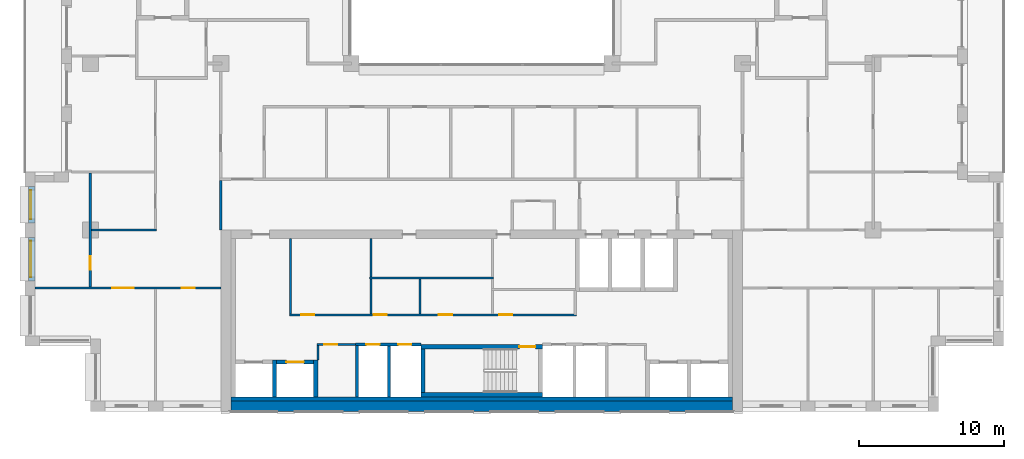
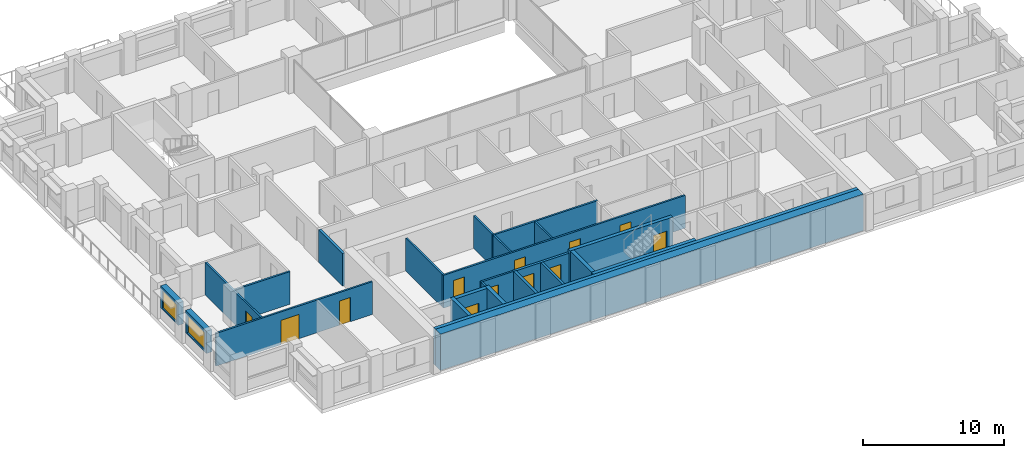
# One storey, part 8 of 15: 25 walls, 12 doors, 2 windows, 14 openings.
"""IFC4 building model written with IfcOpenShell, lengths in metres."""

from ifc_helpers import new_model, si_unit, direction, frame, frame_2d, origin, place, context, subcontext, project, spatial, rectangle, extrude, material, layer, layer_set, type_object, element, fill, save


model = new_model("IFC4")

# Units and contexts
model_context = context("Model", 3, precision=1e-05, world=origin(), true_north=direction((0.0, 1.0)))
body_context = subcontext(model_context, "Body", "Model", "MODEL_VIEW")
ifc_project = project(units=[si_unit("LENGTHUNIT", "METRE"), si_unit("AREAUNIT", "SQUARE_METRE"), si_unit("VOLUMEUNIT", "CUBIC_METRE"), si_unit("PLANEANGLEUNIT", "RADIAN"), si_unit("MASSUNIT", "GRAM", prefix="KILO")], contexts=[model_context])

# Site, building, storey
site_placement = place(None, origin())
site = spatial("IfcSite", under=ifc_project, at=site_placement, CompositionType="ELEMENT")
building_placement = place(site_placement, origin())
building = spatial("IfcBuilding", under=site, at=building_placement, Name="Brigalow Station Residences", CompositionType="ELEMENT")
storey_placement = place(building_placement, frame((0.0, 0.0, 172.800048828125)))
storey = spatial("IfcBuildingStorey", under=building, at=storey_placement, Name="L50", CompositionType="ELEMENT", Elevation=172.800048828125)

# Wall, opening, window
ifc_material_1 = material(Name="Clay brick masonry", Category="masonry")
ifc_layer_1 = layer(ifc_material_1, 0.449951171875)
ifc_layer_set_1 = layer_set([ifc_layer_1], Name="BRICK INFILL WALL 450")
wall_type_1 = type_object("IfcWallType", Name="BRICK INFILL WALL 450", PredefinedType="SOLIDWALL", material=ifc_layer_set_1)
wall_1_placement = place(storey_placement, frame((4.97509765625, 15.5, 0.89990234375), z_axis=(0.0, 0.0, 1.0), x_axis=(0.0, -1.0, 0.0)))
wall_1 = element("IfcWall", 1, at=wall_1_placement, inside=storey, type_object=wall_type_1, Name="L50/ewall/W-L50-45", PredefinedType="SOLIDWALL", context=body_context, shape_type="SweptSolid", body=[
    extrude(rectangle(XDim=2.5, YDim=0.449951171875, at=frame_2d((1.25, 0.0))), origin(), (0.0, 0.0, 1.0), 1.929931640625),
])
opening_1_placement = place(wall_1_placement, frame((0.25, 0.0, 0.14990234375)))
opening_1 = element("IfcOpeningElement", 2, at=opening_1_placement, cuts=wall_1, Name="Opening WT-7", PredefinedType="OPENING", context=body_context, shape_type="SweptSolid", body=[
    extrude(rectangle(XDim=2.0, YDim=1.5, at=frame_2d((1.0, 0.75))), frame((0.0, 0.23486328125, 0.0), z_axis=(0.0, -1.0, 0.0), x_axis=(1.0, 0.0, 0.0)), (0.0, 0.0, 1.0), 0.469970703125),
])
ifc_material_2 = material(Name="Anodised aluminium frame with double glazing", Category="aluminium")
window_type_1 = type_object("IfcWindowType", Name="WINDOW 2000x1500", PartitioningType="SINGLE_PANEL", PredefinedType="WINDOW", material=ifc_material_2)
window_1_placement = place(opening_1_placement, origin())
window_1 = element("IfcWindow", 3, at=window_1_placement, inside=storey, type_object=window_type_1, Name="L50/window/W-L50-45", OverallHeight=1.5, OverallWidth=2.0, PartitioningType="SINGLE_PANEL", PredefinedType="WINDOW", context=body_context, shape_type="SweptSolid", body=[
    extrude(rectangle(XDim=2.0, YDim=1.5, at=frame_2d((1.0, 0.75))), frame((0.0, -0.06494140625, 0.0), z_axis=(0.0, -1.0, 0.0), x_axis=(1.0, 0.0, 0.0)), (0.0, 0.0, 1.0), 0.06005859375),
])
fill(opening_1, window_1)

wall_2_placement = place(storey_placement, frame((4.97509765625, 12.0, 0.89990234375), z_axis=(0.0, 0.0, 1.0), x_axis=(0.0, -1.0, 0.0)))
wall_2 = element("IfcWall", 4, at=wall_2_placement, inside=storey, type_object=wall_type_1, Name="L50/ewall/W-L50-46", PredefinedType="SOLIDWALL", context=body_context, shape_type="SweptSolid", body=[
    extrude(rectangle(XDim=3.0, YDim=0.449951171875, at=frame_2d((1.5, 0.0))), origin(), (0.0, 0.0, 1.0), 1.929931640625),
])
opening_2_placement = place(wall_2_placement, frame((0.25, 0.0, 0.14990234375)))
opening_2 = element("IfcOpeningElement", 5, at=opening_2_placement, cuts=wall_2, Name="Opening WT-5", PredefinedType="OPENING", context=body_context, shape_type="SweptSolid", body=[
    extrude(rectangle(XDim=2.5, YDim=1.5, at=frame_2d((1.25, 0.75))), frame((0.0, 0.23486328125, 0.0), z_axis=(0.0, -1.0, 0.0), x_axis=(1.0, 0.0, 0.0)), (0.0, 0.0, 1.0), 0.469970703125),
])
ifc_material_3 = material(Name="Anodised aluminium frame with double glazing", Category="aluminium")
window_type_2 = type_object("IfcWindowType", Name="WINDOW 2500x1500", PartitioningType="SINGLE_PANEL", PredefinedType="WINDOW", material=ifc_material_3)
window_2_placement = place(opening_2_placement, origin())
window_2 = element("IfcWindow", 6, at=window_2_placement, inside=storey, type_object=window_type_2, Name="L50/window/W-L50-46", OverallHeight=1.5, OverallWidth=2.5, PartitioningType="SINGLE_PANEL", PredefinedType="WINDOW", context=body_context, shape_type="SweptSolid", body=[
    extrude(rectangle(XDim=2.5, YDim=1.5, at=frame_2d((1.25, 0.75))), frame((0.0, -0.06494140625, 0.0), z_axis=(0.0, -1.0, 0.0), x_axis=(1.0, 0.0, 0.0)), (0.0, 0.0, 1.0), 0.06005859375),
])
fill(opening_2, window_2)

# Wall
ifc_material_4 = material(Name="Concrete C65", Category="concrete")
ifc_layer_2 = layer(ifc_material_4, 0.300048828125)
ifc_layer_set_2 = layer_set([ifc_layer_2], Name="CORE SHEAR WALL 300 C65")
wall_type_2 = type_object("IfcWallType", Name="CORE SHEAR WALL 300 C65", PredefinedType="SHEAR", material=ifc_layer_set_2)
wall_3_placement = place(storey_placement, frame((18.699951171875, 0.85009765625, 0.0), z_axis=(0.0, 0.0, 1.0), x_axis=(1.0, 0.0, 0.0)))
element("IfcWall", 7, at=wall_3_placement, inside=storey, type_object=wall_type_2, Name="CORE WALL LIN-S L50", PredefinedType="SHEAR", context=body_context, shape_type="SweptSolid", body=[
    extrude(rectangle(XDim=34.60009765625, YDim=0.300048828125, at=frame_2d((17.300048828125, 0.0))), origin(), (0.0, 0.0, 1.0), 3.14990234375),
])

# Wall, opening, door
wall_4_placement = place(storey_placement, frame((21.85009765625, 3.39990234375, 0.0), z_axis=(0.0, 0.0, 1.0), x_axis=(1.0, 0.0, 0.0)))
wall_4 = element("IfcWall", 8, at=wall_4_placement, inside=storey, type_object=wall_type_2, Name="CORE WALL SH-C2-N L50", PredefinedType="SHEAR", context=body_context, shape_type="SweptSolid", body=[
    extrude(rectangle(XDim=2.5498046875, YDim=0.300048828125, at=frame_2d((1.27490234375, 0.0))), origin(), (0.0, 0.0, 1.0), 3.14990234375),
])
opening_3_placement = place(wall_4_placement, frame((0.675048828125, 0.0, 0.0)))
opening_3 = element("IfcOpeningElement", 9, at=opening_3_placement, cuts=wall_4, Name="Opening LD-LB2", PredefinedType="OPENING", context=body_context, shape_type="SweptSolid", body=[
    extrude(rectangle(XDim=1.199951171875, YDim=2.10009765625, at=frame_2d((0.60009765625, 1.050048828125))), frame((0.0, 0.16015625, 0.0), z_axis=(0.0, -1.0, 0.0), x_axis=(1.0, 0.0, 0.0)), (0.0, 0.0, 1.0), 0.320068359375),
])
ifc_material_5 = material(Name="Stainless steel sliding door leaves", Category="steel")
door_type_1 = type_object("IfcDoorType", Name="LIFT LANDING DOOR 1200 x 2100", OperationType="DOUBLE_DOOR_SLIDING", PredefinedType="DOOR", material=ifc_material_5)
door_1_placement = place(opening_3_placement, origin())
door_1 = element("IfcDoor", 10, at=door_1_placement, inside=storey, type_object=door_type_1, Name="LANDING DOOR LB2", OperationType="DOUBLE_DOOR_SLIDING", OverallHeight=2.10009765625, OverallWidth=1.199951171875, PredefinedType="DOOR", context=body_context, shape_type="SweptSolid", body=[
    extrude(rectangle(XDim=1.199951171875, YDim=2.10009765625, at=frame_2d((0.60009765625, 1.050048828125))), frame((0.0, 0.02490234375, 0.0), z_axis=(0.0, -1.0, 0.0), x_axis=(1.0, 0.0, 0.0)), (0.0, 0.0, 1.0), 0.050048828125),
])
fill(opening_3, door_1)

# Walls
for number, where, z_axis, x_axis, name in (
    (11, (21.699951171875, 1.0, 0.0), (0.0, 0.0, 1.0), (0.0, 1.0, 0.0), "CORE WALL SH-C2-W L50"),
    (12, (24.550048828125, 1.0, 0.0), (0.0, 0.0, 1.0), (0.0, 1.0, 0.0), "CORE WALL SH-C2-E L50"),
):
    element("IfcWall", number, at=place(storey_placement, frame(where, z_axis=z_axis, x_axis=x_axis)), inside=storey, type_object=wall_type_2, Name=name, PredefinedType="SHEAR", context=body_context, shape_type="SweptSolid", body=[
        extrude(rectangle(XDim=2.550048828125, YDim=0.300048828125, at=frame_2d((1.27490234375, 0.0))), origin(), (0.0, 0.0, 1.0), 3.14990234375),
    ])
wall_5_placement = place(storey_placement, frame((31.800048828125, 1.14990234375, 0.0), z_axis=(0.0, 0.0, 1.0), x_axis=(1.0, 0.0, 0.0)))
element("IfcWall", 13, at=wall_5_placement, inside=storey, type_object=wall_type_2, Name="CORE WALL ST-S2-S L50", PredefinedType="SHEAR", context=body_context, shape_type="SweptSolid", body=[
    extrude(rectangle(XDim=8.39990234375, YDim=0.300048828125, at=frame_2d((4.199951171875, 0.0))), origin(), (0.0, 0.0, 1.0), 3.14990234375),
])

# Wall, opening, door
wall_6_placement = place(storey_placement, frame((31.800048828125, 4.449951171875, 0.0), z_axis=(0.0, 0.0, 1.0), x_axis=(1.0, 0.0, 0.0)))
wall_6 = element("IfcWall", 14, at=wall_6_placement, inside=storey, type_object=wall_type_2, Name="CORE WALL ST-S2-N L50", PredefinedType="SHEAR", context=body_context, shape_type="SweptSolid", body=[
    extrude(rectangle(XDim=8.39990234375, YDim=0.300048828125, at=frame_2d((4.199951171875, 0.0))), origin(), (0.0, 0.0, 1.0), 3.14990234375),
])
opening_4_placement = place(wall_6_placement, frame((6.800048828125, 0.0, 0.0)))
opening_4 = element("IfcOpeningElement", 15, at=opening_4_placement, cuts=wall_6, Name="Opening D-5001", PredefinedType="OPENING", context=body_context, shape_type="SweptSolid", body=[
    extrude(rectangle(XDim=1.10009765625, YDim=2.10009765625, at=frame_2d((0.550048828125, 1.050048828125))), frame((0.0, 0.16015625, 0.0), z_axis=(0.0, -1.0, 0.0), x_axis=(1.0, 0.0, 0.0)), (0.0, 0.0, 1.0), 0.320068359375),
])
ifc_material_6 = material(Name="Steel fire door leaf in steel frame", Category="steel")
door_type_2 = type_object("IfcDoorType", Name="STAIR DOOR 1100 x 2100 FD60S", OperationType="SINGLE_SWING_LEFT", PredefinedType="DOOR", material=ifc_material_6)
door_2_placement = place(opening_4_placement, frame((1.10009765625, 0.0, 0.0), z_axis=(0.0, 0.0, 1.0), x_axis=(-1.0, 0.0, 0.0)))
door_2 = element("IfcDoor", 16, at=door_2_placement, inside=storey, type_object=door_type_2, Name="D-5001", OperationType="SINGLE_SWING_LEFT", OverallHeight=2.10009765625, OverallWidth=1.10009765625, PredefinedType="DOOR", context=body_context, shape_type="SweptSolid", body=[
    extrude(rectangle(XDim=1.10009765625, YDim=2.10009765625, at=frame_2d((0.550048828125, 1.050048828125))), frame((0.0, 0.02490234375, 0.0), z_axis=(0.0, -1.0, 0.0), x_axis=(1.0, 0.0, 0.0)), (0.0, 0.0, 1.0), 0.050048828125),
])
fill(opening_4, door_2)

# Walls
wall_7_placement = place(storey_placement, frame((31.949951171875, 1.300048828125, 0.0), z_axis=(0.0, 0.0, 1.0), x_axis=(0.0, 1.0, 0.0)))
element("IfcWall", 17, at=wall_7_placement, inside=storey, type_object=wall_type_2, Name="CORE WALL ST-S2-W L50", PredefinedType="SHEAR", context=body_context, shape_type="SweptSolid", body=[
    extrude(rectangle(XDim=3.0, YDim=0.300048828125, at=frame_2d((1.5, 0.0))), origin(), (0.0, 0.0, 1.0), 3.14990234375),
])
ifc_material_7 = material(Name="Concrete C65", Category="concrete")
ifc_layer_3 = layer(ifc_material_7, 0.699951171875)
ifc_layer_set_3 = layer_set([ifc_layer_3], Name="CORE SHEAR WALL 700 C65")
wall_type_3 = type_object("IfcWallType", Name="CORE SHEAR WALL 700 C65", PredefinedType="SHEAR", material=ifc_layer_set_3)
wall_8_placement = place(storey_placement, frame((18.699951171875, 0.35009765625, 0.0), z_axis=(0.0, 0.0, 1.0), x_axis=(1.0, 0.0, 0.0)))
element("IfcWall", 18, at=wall_8_placement, inside=storey, type_object=wall_type_3, Name="CORE WALL OUT-S L50", PredefinedType="SHEAR", context=body_context, shape_type="SweptSolid", body=[
    extrude(rectangle(XDim=34.60009765625, YDim=0.699951171875, at=frame_2d((17.300048828125, 0.0))), origin(), (0.0, 0.0, 1.0), 3.14990234375),
])

# Wall, openings, doors
ifc_material_8 = material(Name="Concrete blockwork", Category="masonry")
ifc_layer_4 = layer(ifc_material_8, 0.199951171875)
ifc_layer_set_4 = layer_set([ifc_layer_4], Name="FIRE RATED CORE PARTITION 200")
wall_type_4 = type_object("IfcWallType", Name="FIRE RATED CORE PARTITION 200", PredefinedType="PARTITIONING", material=ifc_layer_set_4)
wall_9_placement = place(storey_placement, frame((27.300048828125, 4.60009765625, 0.0), z_axis=(0.0, 0.0, 1.0), x_axis=(1.0, 0.0, 0.0)))
wall_9 = element("IfcWall", 19, at=wall_9_placement, inside=storey, type_object=wall_type_4, Name="PW-5017", PredefinedType="PARTITIONING", context=body_context, shape_type="SweptSolid", body=[
    extrude(rectangle(XDim=4.5, YDim=0.199951171875, at=frame_2d((2.25, 0.0))), origin(), (0.0, 0.0, 1.0), 2.829833984375),
])
opening_5_placement = place(wall_9_placement, frame((0.75, 0.0, 0.0)))
opening_5 = element("IfcOpeningElement", 20, at=opening_5_placement, cuts=wall_9, Name="Opening D-5007", PredefinedType="OPENING", context=body_context, shape_type="SweptSolid", body=[
    extrude(rectangle(XDim=0.89990234375, YDim=2.10009765625, at=frame_2d((0.449951171875, 1.050048828125))), frame((0.0, 0.10986328125, 0.0), z_axis=(0.0, -1.0, 0.0), x_axis=(1.0, 0.0, 0.0)), (0.0, 0.0, 1.0), 0.219970703125),
])
opening_6_placement = place(wall_9_placement, frame((2.949951171875, 0.0, 0.0)))
opening_6 = element("IfcOpeningElement", 21, at=opening_6_placement, cuts=wall_9, Name="Opening D-5008", PredefinedType="OPENING", context=body_context, shape_type="SweptSolid", body=[
    extrude(rectangle(XDim=0.89990234375, YDim=2.10009765625, at=frame_2d((0.449951171875, 1.050048828125))), frame((0.0, 0.10986328125, 0.0), z_axis=(0.0, -1.0, 0.0), x_axis=(1.0, 0.0, 0.0)), (0.0, 0.0, 1.0), 0.219970703125),
])
ifc_material_9 = material(Name="Steel fire door leaf in steel frame", Category="steel")
door_type_3 = type_object("IfcDoorType", Name="RISER ACCESS DOOR 900 x 2100 FD120", OperationType="SINGLE_SWING_LEFT", PredefinedType="DOOR", material=ifc_material_9)
door_3_placement = place(opening_5_placement, frame((0.89990234375, 0.0, 0.0), z_axis=(0.0, 0.0, 1.0), x_axis=(-1.0, 0.0, 0.0)))
door_3 = element("IfcDoor", 22, at=door_3_placement, inside=storey, type_object=door_type_3, Name="D-5007", OperationType="SINGLE_SWING_RIGHT", OverallHeight=2.10009765625, OverallWidth=0.89990234375, PredefinedType="DOOR", context=body_context, shape_type="SweptSolid", body=[
    extrude(rectangle(XDim=0.89990234375, YDim=2.10009765625, at=frame_2d((0.449951171875, 1.050048828125))), frame((0.0, 0.02490234375, 0.0), z_axis=(0.0, -1.0, 0.0), x_axis=(1.0, 0.0, 0.0)), (0.0, 0.0, 1.0), 0.050048828125),
])
fill(opening_5, door_3)
door_4_placement = place(opening_6_placement, frame((0.89990234375, 0.0, 0.0), z_axis=(0.0, 0.0, 1.0), x_axis=(-1.0, 0.0, 0.0)))
door_4 = element("IfcDoor", 23, at=door_4_placement, inside=storey, type_object=door_type_3, Name="D-5008", OperationType="SINGLE_SWING_RIGHT", OverallHeight=2.10009765625, OverallWidth=0.89990234375, PredefinedType="DOOR", context=body_context, shape_type="SweptSolid", body=[
    extrude(rectangle(XDim=0.89990234375, YDim=2.10009765625, at=frame_2d((0.449951171875, 1.050048828125))), frame((0.0, 0.02490234375, 0.0), z_axis=(0.0, -1.0, 0.0), x_axis=(1.0, 0.0, 0.0)), (0.0, 0.0, 1.0), 0.050048828125),
])
fill(opening_6, door_4)

# Walls
wall_10_placement = place(storey_placement, frame((27.39990234375, 1.0, 0.0), z_axis=(0.0, 0.0, 1.0), x_axis=(0.0, 1.0, 0.0)))
element("IfcWall", 24, at=wall_10_placement, inside=storey, type_object=wall_type_4, Name="PW-5027", PredefinedType="PARTITIONING", context=body_context, shape_type="SweptSolid", body=[
    extrude(rectangle(XDim=3.52490234375, YDim=0.199951171875, at=frame_2d((1.762451171875, 0.0))), origin(), (0.0, 0.0, 1.0), 2.829833984375),
])
wall_11_placement = place(storey_placement, frame((29.60009765625, 1.0, 0.0), z_axis=(0.0, 0.0, 1.0), x_axis=(0.0, 1.0, 0.0)))
element("IfcWall", 25, at=wall_11_placement, inside=storey, type_object=wall_type_4, Name="PW-5006", PredefinedType="PARTITIONING", context=body_context, shape_type="SweptSolid", body=[
    extrude(rectangle(XDim=3.5, YDim=0.199951171875, at=frame_2d((1.75, 0.0))), origin(), (0.0, 0.0, 1.0), 2.829833984375),
])
wall_12_placement = place(storey_placement, frame((18.0, 12.5, 0.0), z_axis=(0.0, 0.0, 1.0), x_axis=(0.0, 1.0, 0.0)))
element("IfcWall", 26, at=wall_12_placement, inside=storey, type_object=wall_type_4, Name="PW-5013", PredefinedType="PARTITIONING", context=body_context, shape_type="SweptSolid", body=[
    extrude(rectangle(XDim=3.39990234375, YDim=0.199951171875, at=frame_2d((1.699951171875, 0.0))), origin(), (0.0, 0.0, 1.0), 2.829833984375),
])

# Wall, openings, doors
ifc_material_10 = material(Name="Plasterboard on steel stud partition", Category="steel")
ifc_layer_5 = layer(ifc_material_10, 0.14990234375)
ifc_layer_set_5 = layer_set([ifc_layer_5], Name="FLAT PARTITION 150")
wall_type_5 = type_object("IfcWallType", Name="FLAT PARTITION 150", PredefinedType="PARTITIONING", material=ifc_layer_set_5)
wall_13_placement = place(storey_placement, frame((5.199951171875, 8.5, 0.0), z_axis=(0.0, 0.0, 1.0), x_axis=(1.0, 0.0, 0.0)))
wall_13 = element("IfcWall", 27, at=wall_13_placement, inside=storey, type_object=wall_type_5, Name="PW-3E09", PredefinedType="PARTITIONING", context=body_context, shape_type="SweptSolid", body=[
    extrude(rectangle(XDim=12.800048828125, YDim=0.14990234375, at=frame_2d((6.39990234375, 0.0))), origin(), (0.0, 0.0, 1.0), 2.829833984375),
])
opening_7_placement = place(wall_13_placement, frame((10.10009765625, 0.0, 0.0)))
opening_7 = element("IfcOpeningElement", 28, at=opening_7_placement, cuts=wall_13, Name="Opening D-3E04", PredefinedType="OPENING", context=body_context, shape_type="SweptSolid", body=[
    extrude(rectangle(XDim=0.89990234375, YDim=2.10009765625, at=frame_2d((0.449951171875, 1.050048828125))), frame((0.0, 0.0849609375, 0.0), z_axis=(0.0, -1.0, 0.0), x_axis=(1.0, 0.0, 0.0)), (0.0, 0.0, 1.0), 0.169921875),
])
opening_8_placement = place(wall_13_placement, frame((5.300048828125, 0.0, 0.0)))
opening_8 = element("IfcOpeningElement", 29, at=opening_8_placement, cuts=wall_13, Name="Opening D-3E07", PredefinedType="OPENING", context=body_context, shape_type="SweptSolid", body=[
    extrude(rectangle(XDim=1.5, YDim=2.10009765625, at=frame_2d((0.75, 1.050048828125))), frame((0.0, 0.0849609375, 0.0), z_axis=(0.0, -1.0, 0.0), x_axis=(1.0, 0.0, 0.0)), (0.0, 0.0, 1.0), 0.169921875),
])
ifc_material_11 = material(Name="Solid-core timber door leaf", Category="wood")
door_type_4 = type_object("IfcDoorType", Name="INTERNAL DOOR 900 x 2100", OperationType="SINGLE_SWING_LEFT", PredefinedType="DOOR", material=ifc_material_11)
door_5_placement = place(opening_7_placement, frame((0.89990234375, 0.0, 0.0), z_axis=(0.0, 0.0, 1.0), x_axis=(-1.0, 0.0, 0.0)))
door_5 = element("IfcDoor", 30, at=door_5_placement, inside=storey, type_object=door_type_4, Name="D-3E04", OperationType="SINGLE_SWING_RIGHT", OverallHeight=2.10009765625, OverallWidth=0.89990234375, PredefinedType="DOOR", context=body_context, shape_type="SweptSolid", body=[
    extrude(rectangle(XDim=0.89990234375, YDim=2.10009765625, at=frame_2d((0.449951171875, 1.050048828125))), frame((0.0, 0.02490234375, 0.0), z_axis=(0.0, -1.0, 0.0), x_axis=(1.0, 0.0, 0.0)), (0.0, 0.0, 1.0), 0.050048828125),
])
fill(opening_7, door_5)
ifc_material_12 = material(Name="Solid-core timber door leaf", Category="wood")
door_type_5 = type_object("IfcDoorType", Name="INTERNAL DOUBLE DOOR 1500 x 2100", OperationType="DOUBLE_DOOR_SINGLE_SWING", PredefinedType="DOOR", material=ifc_material_12)
door_6_placement = place(opening_8_placement, frame((1.5, 0.0, 0.0), z_axis=(0.0, 0.0, 1.0), x_axis=(-1.0, 0.0, 0.0)))
door_6 = element("IfcDoor", 31, at=door_6_placement, inside=storey, type_object=door_type_5, Name="D-3E07", OperationType="DOUBLE_DOOR_SINGLE_SWING", OverallHeight=2.10009765625, OverallWidth=1.5, PredefinedType="DOOR", context=body_context, shape_type="SweptSolid", body=[
    extrude(rectangle(XDim=1.5, YDim=2.10009765625, at=frame_2d((0.75, 1.050048828125))), frame((0.0, 0.02490234375, 0.0), z_axis=(0.0, -1.0, 0.0), x_axis=(1.0, 0.0, 0.0)), (0.0, 0.0, 1.0), 0.050048828125),
])
fill(opening_8, door_6)

# Wall
wall_14_placement = place(storey_placement, frame((9.074951171875, 12.5, 0.0), z_axis=(0.0, 0.0, 1.0), x_axis=(1.0, 0.0, 0.0)))
element("IfcWall", 32, at=wall_14_placement, inside=storey, type_object=wall_type_5, Name="PW-3E13", PredefinedType="PARTITIONING", context=body_context, shape_type="SweptSolid", body=[
    extrude(rectangle(XDim=4.5, YDim=0.14990234375, at=frame_2d((2.25, 0.0))), origin(), (0.0, 0.0, 1.0), 2.829833984375),
])

# Wall, opening, door
wall_15_placement = place(storey_placement, frame((9.0, 8.574951171875, 0.0), z_axis=(0.0, 0.0, 1.0), x_axis=(0.0, 1.0, 0.0)))
wall_15 = element("IfcWall", 33, at=wall_15_placement, inside=storey, type_object=wall_type_5, Name="PW-3E38", PredefinedType="PARTITIONING", context=body_context, shape_type="SweptSolid", body=[
    extrude(rectangle(XDim=7.85009765625, YDim=0.14990234375, at=frame_2d((3.925048828125, 0.0))), origin(), (0.0, 0.0, 1.0), 2.829833984375),
])
opening_9_placement = place(wall_15_placement, frame((1.199951171875, 0.0, 0.0)))
opening_9 = element("IfcOpeningElement", 34, at=opening_9_placement, cuts=wall_15, Name="Opening D-3E05", PredefinedType="OPENING", context=body_context, shape_type="SweptSolid", body=[
    extrude(rectangle(XDim=0.89990234375, YDim=2.10009765625, at=frame_2d((0.449951171875, 1.050048828125))), frame((0.0, 0.0849609375, 0.0), z_axis=(0.0, -1.0, 0.0), x_axis=(1.0, 0.0, 0.0)), (0.0, 0.0, 1.0), 0.169921875),
])
door_7_placement = place(opening_9_placement, origin())
door_7 = element("IfcDoor", 35, at=door_7_placement, inside=storey, type_object=door_type_4, Name="D-3E05", OperationType="SINGLE_SWING_LEFT", OverallHeight=2.10009765625, OverallWidth=0.89990234375, PredefinedType="DOOR", context=body_context, shape_type="SweptSolid", body=[
    extrude(rectangle(XDim=0.89990234375, YDim=2.10009765625, at=frame_2d((0.449951171875, 1.050048828125))), frame((0.0, 0.02490234375, 0.0), z_axis=(0.0, -1.0, 0.0), x_axis=(1.0, 0.0, 0.0)), (0.0, 0.0, 1.0), 0.050048828125),
])
fill(opening_9, door_7)

ifc_material_13 = material(Name="Plasterboard on steel studs", Category="steel")
ifc_layer_6 = layer(ifc_material_13, 0.14990234375)
ifc_layer_set_6 = layer_set([ifc_layer_6], Name="SERVICE ROOM PARTITION 150")
wall_type_6 = type_object("IfcWallType", Name="SERVICE ROOM PARTITION 150", PredefinedType="PARTITIONING", material=ifc_layer_set_6)
wall_16_placement = place(storey_placement, frame((24.625, 4.60009765625, 0.0), z_axis=(0.0, 0.0, 1.0), x_axis=(1.0, 0.0, 0.0)))
wall_16 = element("IfcWall", 36, at=wall_16_placement, inside=storey, type_object=wall_type_6, Name="PW-5155", PredefinedType="PARTITIONING", context=body_context, shape_type="SweptSolid", body=[
    extrude(rectangle(XDim=2.675048828125, YDim=0.14990234375, at=frame_2d((1.33740234375, 0.0))), origin(), (0.0, 0.0, 1.0), 2.829833984375),
])
opening_10_placement = place(wall_16_placement, frame((0.52490234375, 0.0, 0.0)))
opening_10 = element("IfcOpeningElement", 37, at=opening_10_placement, cuts=wall_16, Name="Opening D-5087", PredefinedType="OPENING", context=body_context, shape_type="SweptSolid", body=[
    extrude(rectangle(XDim=0.89990234375, YDim=2.10009765625, at=frame_2d((0.449951171875, 1.050048828125))), frame((0.0, 0.0849609375, 0.0), z_axis=(0.0, -1.0, 0.0), x_axis=(1.0, 0.0, 0.0)), (0.0, 0.0, 1.0), 0.169921875),
])
ifc_material_14 = material(Name="Steel door leaf in steel frame", Category="steel")
door_type_6 = type_object("IfcDoorType", Name="SERVICE ROOM DOOR 900 x 2100 FD60", OperationType="SINGLE_SWING_LEFT", PredefinedType="DOOR", material=ifc_material_14)
door_8_placement = place(opening_10_placement, frame((0.89990234375, 0.0, 0.0), z_axis=(0.0, 0.0, 1.0), x_axis=(-1.0, 0.0, 0.0)))
door_8 = element("IfcDoor", 38, at=door_8_placement, inside=storey, type_object=door_type_6, Name="D-5087", OperationType="SINGLE_SWING_RIGHT", OverallHeight=2.10009765625, OverallWidth=0.89990234375, PredefinedType="DOOR", context=body_context, shape_type="SweptSolid", body=[
    extrude(rectangle(XDim=0.89990234375, YDim=2.10009765625, at=frame_2d((0.449951171875, 1.050048828125))), frame((0.0, 0.02490234375, 0.0), z_axis=(0.0, -1.0, 0.0), x_axis=(1.0, 0.0, 0.0)), (0.0, 0.0, 1.0), 0.050048828125),
])
fill(opening_10, door_8)

# Wall, openings, doors
wall_17_placement = place(storey_placement, frame((22.72509765625, 6.64990234375, 0.0), z_axis=(0.0, 0.0, 1.0), x_axis=(1.0, 0.0, 0.0)))
wall_17 = element("IfcWall", 39, at=wall_17_placement, inside=storey, type_object=wall_type_6, Name="PW-5195", PredefinedType="PARTITIONING", context=body_context, shape_type="SweptSolid", body=[
    extrude(rectangle(XDim=19.7998046875, YDim=0.14990234375, at=frame_2d((9.89990234375, 0.0))), origin(), (0.0, 0.0, 1.0), 2.829833984375),
])
opening_11_placement = place(wall_17_placement, frame((0.824951171875, 0.0, 0.0)))
opening_11 = element("IfcOpeningElement", 40, at=opening_11_placement, cuts=wall_17, Name="Opening D-5110", PredefinedType="OPENING", context=body_context, shape_type="SweptSolid", body=[
    extrude(rectangle(XDim=0.89990234375, YDim=2.10009765625, at=frame_2d((0.449951171875, 1.050048828125))), frame((0.0, 0.0849609375, 0.0), z_axis=(0.0, -1.0, 0.0), x_axis=(1.0, 0.0, 0.0)), (0.0, 0.0, 1.0), 0.169921875),
])
opening_12_placement = place(wall_17_placement, frame((5.824951171875, 0.0, 0.0)))
opening_12 = element("IfcOpeningElement", 41, at=opening_12_placement, cuts=wall_17, Name="Opening D-5111", PredefinedType="OPENING", context=body_context, shape_type="SweptSolid", body=[
    extrude(rectangle(XDim=0.89990234375, YDim=2.10009765625, at=frame_2d((0.449951171875, 1.050048828125))), frame((0.0, 0.0849609375, 0.0), z_axis=(0.0, -1.0, 0.0), x_axis=(1.0, 0.0, 0.0)), (0.0, 0.0, 1.0), 0.169921875),
])
opening_13_placement = place(wall_17_placement, frame((10.324951171875, 0.0, 0.0)))
opening_13 = element("IfcOpeningElement", 42, at=opening_13_placement, cuts=wall_17, Name="Opening D-5112", PredefinedType="OPENING", context=body_context, shape_type="SweptSolid", body=[
    extrude(rectangle(XDim=0.89990234375, YDim=2.10009765625, at=frame_2d((0.449951171875, 1.050048828125))), frame((0.0, 0.0849609375, 0.0), z_axis=(0.0, -1.0, 0.0), x_axis=(1.0, 0.0, 0.0)), (0.0, 0.0, 1.0), 0.169921875),
])
opening_14_placement = place(wall_17_placement, frame((14.47509765625, 0.0, 0.0)))
opening_14 = element("IfcOpeningElement", 43, at=opening_14_placement, cuts=wall_17, Name="Opening D-5114", PredefinedType="OPENING", context=body_context, shape_type="SweptSolid", body=[
    extrude(rectangle(XDim=0.89990234375, YDim=2.10009765625, at=frame_2d((0.449951171875, 1.050048828125))), frame((0.0, 0.0849609375, 0.0), z_axis=(0.0, -1.0, 0.0), x_axis=(1.0, 0.0, 0.0)), (0.0, 0.0, 1.0), 0.169921875),
])
door_9_placement = place(opening_11_placement, origin())
door_9 = element("IfcDoor", 44, at=door_9_placement, inside=storey, type_object=door_type_6, Name="D-5110", OperationType="SINGLE_SWING_LEFT", OverallHeight=2.10009765625, OverallWidth=0.89990234375, PredefinedType="DOOR", context=body_context, shape_type="SweptSolid", body=[
    extrude(rectangle(XDim=0.89990234375, YDim=2.10009765625, at=frame_2d((0.449951171875, 1.050048828125))), frame((0.0, 0.02490234375, 0.0), z_axis=(0.0, -1.0, 0.0), x_axis=(1.0, 0.0, 0.0)), (0.0, 0.0, 1.0), 0.050048828125),
])
fill(opening_11, door_9)
door_10_placement = place(opening_12_placement, origin())
door_10 = element("IfcDoor", 45, at=door_10_placement, inside=storey, type_object=door_type_6, Name="D-5111", OperationType="SINGLE_SWING_LEFT", OverallHeight=2.10009765625, OverallWidth=0.89990234375, PredefinedType="DOOR", context=body_context, shape_type="SweptSolid", body=[
    extrude(rectangle(XDim=0.89990234375, YDim=2.10009765625, at=frame_2d((0.449951171875, 1.050048828125))), frame((0.0, 0.02490234375, 0.0), z_axis=(0.0, -1.0, 0.0), x_axis=(1.0, 0.0, 0.0)), (0.0, 0.0, 1.0), 0.050048828125),
])
fill(opening_12, door_10)
door_11_placement = place(opening_13_placement, origin())
door_11 = element("IfcDoor", 46, at=door_11_placement, inside=storey, type_object=door_type_6, Name="D-5112", OperationType="SINGLE_SWING_LEFT", OverallHeight=2.10009765625, OverallWidth=0.89990234375, PredefinedType="DOOR", context=body_context, shape_type="SweptSolid", body=[
    extrude(rectangle(XDim=0.89990234375, YDim=2.10009765625, at=frame_2d((0.449951171875, 1.050048828125))), frame((0.0, 0.02490234375, 0.0), z_axis=(0.0, -1.0, 0.0), x_axis=(1.0, 0.0, 0.0)), (0.0, 0.0, 1.0), 0.050048828125),
])
fill(opening_13, door_11)
door_12_placement = place(opening_14_placement, origin())
door_12 = element("IfcDoor", 47, at=door_12_placement, inside=storey, type_object=door_type_6, Name="D-5114", OperationType="SINGLE_SWING_LEFT", OverallHeight=2.10009765625, OverallWidth=0.89990234375, PredefinedType="DOOR", context=body_context, shape_type="SweptSolid", body=[
    extrude(rectangle(XDim=0.89990234375, YDim=2.10009765625, at=frame_2d((0.449951171875, 1.050048828125))), frame((0.0, 0.02490234375, 0.0), z_axis=(0.0, -1.0, 0.0), x_axis=(1.0, 0.0, 0.0)), (0.0, 0.0, 1.0), 0.050048828125),
])
fill(opening_14, door_12)

# Walls
wall_18_placement = place(storey_placement, frame((28.27490234375, 9.18994140625, 0.0), z_axis=(0.0, 0.0, 1.0), x_axis=(1.0, 0.0, 0.0)))
element("IfcWall", 48, at=wall_18_placement, inside=storey, type_object=wall_type_6, Name="PW-5230", PredefinedType="PARTITIONING", context=body_context, shape_type="SweptSolid", body=[
    extrude(rectangle(XDim=8.550048828125, YDim=0.14990234375, at=frame_2d((4.27490234375, 0.0))), origin(), (0.0, 0.0, 1.0), 2.829833984375),
])
wall_19_placement = place(storey_placement, frame((24.699951171875, 3.550048828125, 0.0), z_axis=(0.0, 0.0, 1.0), x_axis=(0.0, 1.0, 0.0)))
element("IfcWall", 49, at=wall_19_placement, inside=storey, type_object=wall_type_6, Name="PW-5157", PredefinedType="PARTITIONING", context=body_context, shape_type="SweptSolid", body=[
    extrude(rectangle(XDim=0.974853515625, YDim=0.14990234375, at=frame_2d((0.4873046875, 0.0))), origin(), (0.0, 0.0, 1.0), 2.829833984375),
])
wall_20_placement = place(storey_placement, frame((22.800048828125, 6.72509765625, 0.0), z_axis=(0.0, 0.0, 1.0), x_axis=(0.0, 1.0, 0.0)))
element("IfcWall", 50, at=wall_20_placement, inside=storey, type_object=wall_type_6, Name="PW-5197", PredefinedType="PARTITIONING", context=body_context, shape_type="SweptSolid", body=[
    extrude(rectangle(XDim=5.1748046875, YDim=0.14990234375, at=frame_2d((2.58740234375, 0.0))), origin(), (0.0, 0.0, 1.0), 2.829833984375),
])
for number, where, z_axis, x_axis, name in (
    (51, (28.35009765625, 6.72509765625, 0.0), (0.0, 0.0, 1.0), (0.0, 1.0, 0.0), "PW-5231"),
    (52, (31.72998046875, 6.72509765625, 0.0), (0.0, 0.0, 1.0), (0.0, 1.0, 0.0), "PW-5232"),
):
    element("IfcWall", number, at=place(storey_placement, frame(where, z_axis=z_axis, x_axis=x_axis)), inside=storey, type_object=wall_type_6, Name=name, PredefinedType="PARTITIONING", context=body_context, shape_type="SweptSolid", body=[
        extrude(rectangle(XDim=2.389892578125, YDim=0.14990234375, at=frame_2d((1.19482421875, 0.0))), origin(), (0.0, 0.0, 1.0), 2.829833984375),
    ])
wall_21_placement = place(storey_placement, frame((28.35009765625, 9.264892578125, 0.0), z_axis=(0.0, 0.0, 1.0), x_axis=(0.0, 1.0, 0.0)))
element("IfcWall", 53, at=wall_21_placement, inside=storey, type_object=wall_type_6, Name="PW-5234", PredefinedType="PARTITIONING", context=body_context, shape_type="SweptSolid", body=[
    extrude(rectangle(XDim=2.635009765625, YDim=0.14990234375, at=frame_2d((1.3173828125, 0.0))), origin(), (0.0, 0.0, 1.0), 2.829833984375),
])

save(model, "model.ifc")
